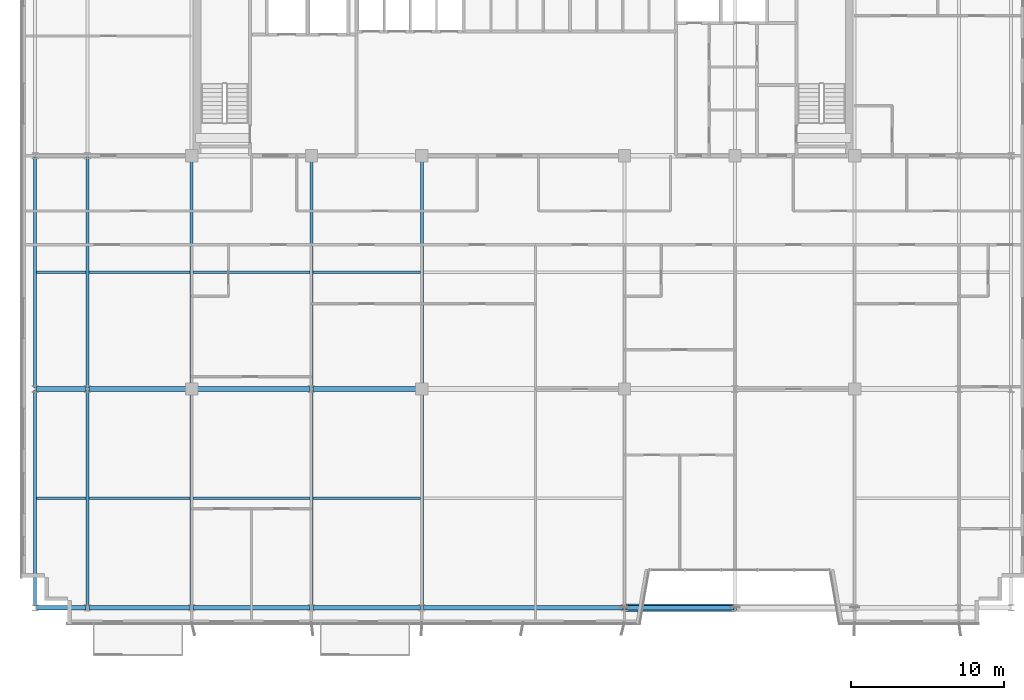
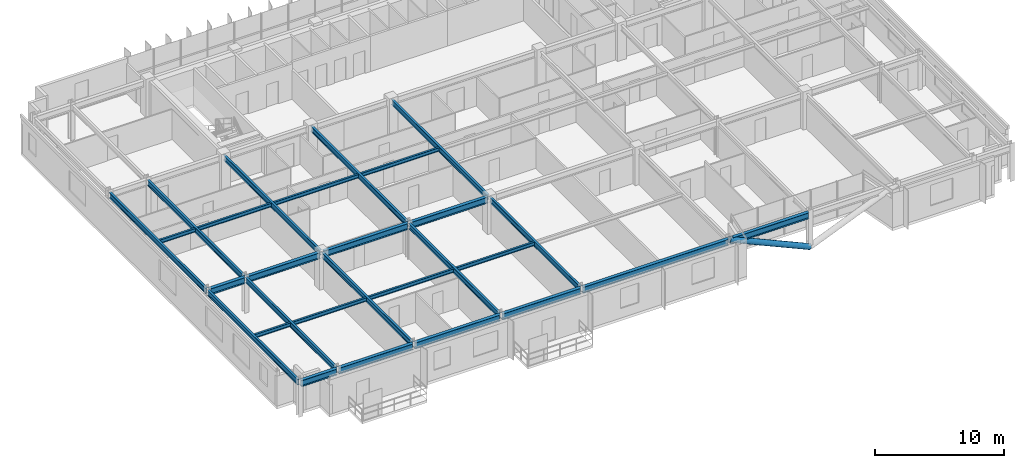
# One storey, part 4 of 26: 28 beams, 1 member.
"""IFC4 building model written with IfcOpenShell, lengths in metres."""

from ifc_helpers import new_model, si_unit, direction, frame, origin, origin_2d, place, context, subcontext, project, spatial, hollow_circle, i_section, extrude, source, transform, mapped, material, material_profile, profile_set, type_object, element, save


model = new_model("IFC4")

# Units and contexts
model_context = context("Model", 3, precision=1e-05, world=origin(), true_north=direction((0.0, 1.0)))
body_context = subcontext(model_context, "Body", "Model", "MODEL_VIEW")
ifc_project = project(units=[si_unit("LENGTHUNIT", "METRE"), si_unit("AREAUNIT", "SQUARE_METRE"), si_unit("VOLUMEUNIT", "CUBIC_METRE"), si_unit("PLANEANGLEUNIT", "RADIAN"), si_unit("MASSUNIT", "GRAM", prefix="KILO")], contexts=[model_context])

# Site, building, storey
site_placement = place(None, origin())
site = spatial("IfcSite", under=ifc_project, at=site_placement, CompositionType="ELEMENT")
building_placement = place(site_placement, origin())
building = spatial("IfcBuilding", under=site, at=building_placement, Name="Trelvane Seafront Commons", CompositionType="ELEMENT")
storey_placement = place(building_placement, frame((0.0, 0.0, 124.89990234375)))
storey = spatial("IfcBuildingStorey", under=building, at=storey_placement, Name="L32", CompositionType="ELEMENT", Elevation=124.89990234375)

# Beams
ifc_material = material(Name="Steel SM355 (S355)", Category="steel")
ifc_material_profile_1 = material_profile(ifc_material, i_section(OverallWidth=0.300048828125, OverallDepth=0.587890625, WebThickness=0.011962890625, FlangeThickness=0.02001953125, at=origin_2d()), Name="H-588x300x12x20")
ifc_profile_set_1 = profile_set([ifc_material_profile_1], Name="Steel SM355 (S355)")
beam_type_1 = type_object("IfcBeamType", Name="STR-BM-H588", PredefinedType="BEAM", material=ifc_profile_set_1)
shared_shape_1 = source(origin(), body_context, "Body", "SweptSolid", [
    extrude(i_section(OverallWidth=0.300048828125, OverallDepth=0.587890625, WebThickness=0.011962890625, FlangeThickness=0.02001953125, at=origin_2d()), origin(), (0.0, 0.0, 1.0), 7.550048828125),
])
beam_1_placement = place(storey_placement, frame((15.75, 18.199951171875, 3.046142578125), z_axis=(1.0, 0.0, 0.0), x_axis=(0.0, 1.0, 0.0)))
element("IfcBeam", 1, at=beam_1_placement, inside=storey, type_object=beam_type_1, Name="L32 Primary Girder G-12", PredefinedType="BEAM", context=body_context, shape_type="MappedRepresentation", body=[
    mapped(shared_shape_1, transform((0.0, 0.0, 0.0), x_axis=(1.0, 0.0, 0.0), y_axis=(0.0, 1.0, 0.0), z_axis=(0.0, 0.0, 1.0), scale=1.0)),
])
shared_shape_2 = source(origin(), body_context, "Body", "SweptSolid", [
    extrude(i_section(OverallWidth=0.300048828125, OverallDepth=0.587890625, WebThickness=0.011962890625, FlangeThickness=0.02001953125, at=origin_2d()), origin(), (0.0, 0.0, 1.0), 3.199951171875),
])
for number, where, z_axis, x_axis, name in (
    (2, (5.5, 3.949951171875, 3.046142578125), (1.0, 0.0, 0.0), (0.0, 1.0, 0.0), "L32 Primary Girder G-01"),
    (3, (5.5, 18.199951171875, 3.046142578125), (1.0, 0.0, 0.0), (0.0, 1.0, 0.0), "L32 Primary Girder G-10"),
):
    element("IfcBeam", number, at=place(storey_placement, frame(where, z_axis=z_axis, x_axis=x_axis)), inside=storey, type_object=beam_type_1, Name=name, PredefinedType="BEAM", context=body_context, shape_type="MappedRepresentation", body=[
        mapped(shared_shape_2, transform((0.0, 0.0, 0.0), x_axis=(1.0, 0.0, 0.0), y_axis=(0.0, 1.0, 0.0), z_axis=(0.0, 0.0, 1.0), scale=1.0)),
    ])
shared_shape_3 = source(origin(), body_context, "Body", "SweptSolid", [
    extrude(i_section(OverallWidth=0.300048828125, OverallDepth=0.587890625, WebThickness=0.011962890625, FlangeThickness=0.02001953125, at=origin_2d()), origin(), (0.0, 0.0, 1.0), 6.60009765625),
])
beam_2_placement = place(storey_placement, frame((8.89990234375, 3.949951171875, 3.046142578125), z_axis=(1.0, 0.0, 0.0), x_axis=(0.0, 1.0, 0.0)))
element("IfcBeam", 4, at=beam_2_placement, inside=storey, type_object=beam_type_1, Name="L32 Primary Girder G-02", PredefinedType="BEAM", context=body_context, shape_type="MappedRepresentation", body=[
    mapped(shared_shape_3, transform((0.0, 0.0, 0.0), x_axis=(1.0, 0.0, 0.0), y_axis=(0.0, 1.0, 0.0), z_axis=(0.0, 0.0, 1.0), scale=1.0)),
])
shared_shape_4 = source(origin(), body_context, "Body", "SweptSolid", [
    extrude(i_section(OverallWidth=0.300048828125, OverallDepth=0.587890625, WebThickness=0.011962890625, FlangeThickness=0.02001953125, at=origin_2d()), origin(), (0.0, 0.0, 1.0), 7.60009765625),
])
beam_3_placement = place(storey_placement, frame((15.699951171875, 3.949951171875, 3.046142578125), z_axis=(1.0, 0.0, 0.0), x_axis=(0.0, 1.0, 0.0)))
element("IfcBeam", 5, at=beam_3_placement, inside=storey, type_object=beam_type_1, Name="L32 Primary Girder G-03", PredefinedType="BEAM", context=body_context, shape_type="MappedRepresentation", body=[
    mapped(shared_shape_4, transform((0.0, 0.0, 0.0), x_axis=(1.0, 0.0, 0.0), y_axis=(0.0, 1.0, 0.0), z_axis=(0.0, 0.0, 1.0), scale=1.0)),
])
shared_shape_5 = source(origin(), body_context, "Body", "SweptSolid", [
    extrude(i_section(OverallWidth=0.300048828125, OverallDepth=0.587890625, WebThickness=0.011962890625, FlangeThickness=0.02001953125, at=origin_2d()), origin(), (0.0, 0.0, 1.0), 7.0),
])
for number, where, z_axis, x_axis, name in (
    (6, (23.5, 3.949951171875, 3.046142578125), (1.0, 0.0, 0.0), (0.0, 1.0, 0.0), "L32 Primary Girder G-04"),
    (7, (43.89990234375, 3.949951171875, 3.046142578125), (1.0, 0.0, 0.0), (0.0, 1.0, 0.0), "L32 Primary Girder G-06"),
):
    element("IfcBeam", number, at=place(storey_placement, frame(where, z_axis=z_axis, x_axis=x_axis)), inside=storey, type_object=beam_type_1, Name=name, PredefinedType="BEAM", context=body_context, shape_type="MappedRepresentation", body=[
        mapped(shared_shape_5, transform((0.0, 0.0, 0.0), x_axis=(1.0, 0.0, 0.0), y_axis=(0.0, 1.0, 0.0), z_axis=(0.0, 0.0, 1.0), scale=1.0)),
    ])
shared_shape_6 = source(origin(), body_context, "Body", "SweptSolid", [
    extrude(i_section(OverallWidth=0.300048828125, OverallDepth=0.587890625, WebThickness=0.011962890625, FlangeThickness=0.02001953125, at=origin_2d()), origin(), (0.0, 0.0, 1.0), 13.0),
])
beam_4_placement = place(storey_placement, frame((30.699951171875, 3.949951171875, 3.046142578125), z_axis=(1.0, 0.0, 0.0), x_axis=(0.0, 1.0, 0.0)))
element("IfcBeam", 8, at=beam_4_placement, inside=storey, type_object=beam_type_1, Name="L32 Primary Girder G-05", PredefinedType="BEAM", context=body_context, shape_type="MappedRepresentation", body=[
    mapped(shared_shape_6, transform((0.0, 0.0, 0.0), x_axis=(1.0, 0.0, 0.0), y_axis=(0.0, 1.0, 0.0), z_axis=(0.0, 0.0, 1.0), scale=1.0)),
])
shared_shape_7 = source(origin(), body_context, "Body", "SweptSolid", [
    extrude(i_section(OverallWidth=0.300048828125, OverallDepth=0.587890625, WebThickness=0.011962890625, FlangeThickness=0.02001953125, at=origin_2d()), origin(), (0.0, 0.0, 1.0), 6.550048828125),
])
beam_5_placement = place(storey_placement, frame((8.89990234375, 18.199951171875, 3.046142578125), z_axis=(1.0, 0.0, 0.0), x_axis=(0.0, 1.0, 0.0)))
element("IfcBeam", 9, at=beam_5_placement, inside=storey, type_object=beam_type_1, Name="L32 Primary Girder G-11", PredefinedType="BEAM", context=body_context, shape_type="MappedRepresentation", body=[
    mapped(shared_shape_7, transform((0.0, 0.0, 0.0), x_axis=(1.0, 0.0, 0.0), y_axis=(0.0, 1.0, 0.0), z_axis=(0.0, 0.0, 1.0), scale=1.0)),
])
shared_shape_8 = source(origin(), body_context, "Body", "SweptSolid", [
    extrude(i_section(OverallWidth=0.300048828125, OverallDepth=0.587890625, WebThickness=0.011962890625, FlangeThickness=0.02001953125, at=origin_2d()), origin(), (0.0, 0.0, 1.0), 6.949951171875),
])
beam_6_placement = place(storey_placement, frame((23.5, 18.199951171875, 3.046142578125), z_axis=(1.0, 0.0, 0.0), x_axis=(0.0, 1.0, 0.0)))
element("IfcBeam", 10, at=beam_6_placement, inside=storey, type_object=beam_type_1, Name="L32 Primary Girder G-13", PredefinedType="BEAM", context=body_context, shape_type="MappedRepresentation", body=[
    mapped(shared_shape_8, transform((0.0, 0.0, 0.0), x_axis=(1.0, 0.0, 0.0), y_axis=(0.0, 1.0, 0.0), z_axis=(0.0, 0.0, 1.0), scale=1.0)),
])
ifc_material_profile_2 = material_profile(ifc_material, i_section(OverallWidth=0.199951171875, OverallDepth=0.5, WebThickness=0.010009765625, FlangeThickness=0.01611328125, at=origin_2d()), Name="H-500x200x10x16")
ifc_profile_set_2 = profile_set([ifc_material_profile_2], Name="Steel SM355 (S355)")
beam_type_2 = type_object("IfcBeamType", Name="STR-BM-H500", PredefinedType="BEAM", material=ifc_profile_set_2)
shared_shape_9 = source(origin(), body_context, "Body", "SweptSolid", [
    extrude(i_section(OverallWidth=0.199951171875, OverallDepth=0.5, WebThickness=0.010009765625, FlangeThickness=0.01611328125, at=origin_2d()), origin(), (0.0, 0.0, 1.0), 14.050048828125),
])
for number, where, z_axis, x_axis, name in (
    (11, (5.39990234375, 4.050048828125, 3.090087890625), (0.0, 1.0, 0.0), (-1.0, 0.0, 0.0), "L32 Primary Girder G-37"),
    (12, (8.800048828125, 4.050048828125, 3.090087890625), (0.0, 1.0, 0.0), (-1.0, 0.0, 0.0), "L32 Primary Girder G-40"),
    (13, (23.39990234375, 4.050048828125, 3.090087890625), (0.0, 1.0, 0.0), (-1.0, 0.0, 0.0), "L32 Primary Girder G-46"),
):
    element("IfcBeam", number, at=place(storey_placement, frame(where, z_axis=z_axis, x_axis=x_axis)), inside=storey, type_object=beam_type_2, Name=name, PredefinedType="BEAM", context=body_context, shape_type="MappedRepresentation", body=[
        mapped(shared_shape_9, transform((0.0, 0.0, 0.0), x_axis=(1.0, 0.0, 0.0), y_axis=(0.0, 1.0, 0.0), z_axis=(0.0, 0.0, 1.0), scale=1.0)),
    ])
shared_shape_10 = source(origin(), body_context, "Body", "SweptSolid", [
    extrude(i_section(OverallWidth=0.199951171875, OverallDepth=0.5, WebThickness=0.010009765625, FlangeThickness=0.01611328125, at=origin_2d()), origin(), (0.0, 0.0, 1.0), 15.0),
])
for number, where, z_axis, x_axis, name in (
    (14, (5.39990234375, 18.300048828125, 3.090087890625), (0.0, 1.0, 0.0), (-1.0, 0.0, 0.0), "L32 Primary Girder G-38"),
    (15, (8.800048828125, 18.300048828125, 3.090087890625), (0.0, 1.0, 0.0), (-1.0, 0.0, 0.0), "L32 Primary Girder G-41"),
):
    element("IfcBeam", number, at=place(storey_placement, frame(where, z_axis=z_axis, x_axis=x_axis)), inside=storey, type_object=beam_type_2, Name=name, PredefinedType="BEAM", context=body_context, shape_type="MappedRepresentation", body=[
        mapped(shared_shape_10, transform((0.0, 0.0, 0.0), x_axis=(1.0, 0.0, 0.0), y_axis=(0.0, 1.0, 0.0), z_axis=(0.0, 0.0, 1.0), scale=1.0)),
    ])
shared_shape_11 = source(origin(), body_context, "Body", "SweptSolid", [
    extrude(i_section(OverallWidth=0.199951171875, OverallDepth=0.5, WebThickness=0.010009765625, FlangeThickness=0.01611328125, at=origin_2d()), origin(), (0.0, 0.0, 1.0), 14.0),
])
for number, where, z_axis, x_axis, name in (
    (16, (15.60009765625, 4.050048828125, 3.090087890625), (0.0, 1.0, 0.0), (-1.0, 0.0, 0.0), "L32 Primary Girder G-43"),
    (17, (30.60009765625, 4.050048828125, 3.090087890625), (0.0, 1.0, 0.0), (-1.0, 0.0, 0.0), "L32 Primary Girder G-49"),
):
    element("IfcBeam", number, at=place(storey_placement, frame(where, z_axis=z_axis, x_axis=x_axis)), inside=storey, type_object=beam_type_2, Name=name, PredefinedType="BEAM", context=body_context, shape_type="MappedRepresentation", body=[
        mapped(shared_shape_11, transform((0.0, 0.0, 0.0), x_axis=(1.0, 0.0, 0.0), y_axis=(0.0, 1.0, 0.0), z_axis=(0.0, 0.0, 1.0), scale=1.0)),
    ])
shared_shape_12 = source(origin(), body_context, "Body", "SweptSolid", [
    extrude(i_section(OverallWidth=0.199951171875, OverallDepth=0.5, WebThickness=0.010009765625, FlangeThickness=0.01611328125, at=origin_2d()), origin(), (0.0, 0.0, 1.0), 14.89990234375),
])
for number, where, z_axis, x_axis, name in (
    (18, (15.60009765625, 18.35009765625, 3.090087890625), (0.0, 1.0, 0.0), (-1.0, 0.0, 0.0), "L32 Primary Girder G-44"),
    (19, (30.60009765625, 18.35009765625, 3.090087890625), (0.0, 1.0, 0.0), (-1.0, 0.0, 0.0), "L32 Primary Girder G-50"),
):
    element("IfcBeam", number, at=place(storey_placement, frame(where, z_axis=z_axis, x_axis=x_axis)), inside=storey, type_object=beam_type_2, Name=name, PredefinedType="BEAM", context=body_context, shape_type="MappedRepresentation", body=[
        mapped(shared_shape_12, transform((0.0, 0.0, 0.0), x_axis=(1.0, 0.0, 0.0), y_axis=(0.0, 1.0, 0.0), z_axis=(0.0, 0.0, 1.0), scale=1.0)),
    ])
shared_shape_13 = source(origin(), body_context, "Body", "SweptSolid", [
    extrude(i_section(OverallWidth=0.199951171875, OverallDepth=0.5, WebThickness=0.010009765625, FlangeThickness=0.01611328125, at=origin_2d()), origin(), (0.0, 0.0, 1.0), 14.949951171875),
])
beam_7_placement = place(storey_placement, frame((23.39990234375, 18.300048828125, 3.090087890625), z_axis=(0.0, 1.0, 0.0), x_axis=(-1.0, 0.0, 0.0)))
element("IfcBeam", 20, at=beam_7_placement, inside=storey, type_object=beam_type_2, Name="L32 Primary Girder G-47", PredefinedType="BEAM", context=body_context, shape_type="MappedRepresentation", body=[
    mapped(shared_shape_13, transform((0.0, 0.0, 0.0), x_axis=(1.0, 0.0, 0.0), y_axis=(0.0, 1.0, 0.0), z_axis=(0.0, 0.0, 1.0), scale=1.0)),
])
ifc_material_profile_3 = material_profile(ifc_material, i_section(OverallWidth=0.175048828125, OverallDepth=0.35009765625, WebThickness=0.007080078125, FlangeThickness=0.010986328125, at=origin_2d()), Name="H-350x175x7x11")
ifc_profile_set_3 = profile_set([ifc_material_profile_3], Name="Steel SM355 (S355)")
beam_type_3 = type_object("IfcBeamType", Name="STR-JST-H350", PredefinedType="JOIST", material=ifc_profile_set_3)
shared_shape_14 = source(origin(), body_context, "Body", "SweptSolid", [
    extrude(i_section(OverallWidth=0.175048828125, OverallDepth=0.35009765625, WebThickness=0.007080078125, FlangeThickness=0.010986328125, at=origin_2d()), origin(), (0.0, 0.0, 1.0), 3.199951171875),
])
for number, where, z_axis, x_axis, name in (
    (21, (5.5, 11.074951171875, 3.1650390625), (1.0, 0.0, 0.0), (0.0, 1.0, 0.0), "L32 Secondary Floor Joist B-67"),
    (22, (5.5, 25.800048828125, 3.1650390625), (1.0, 0.0, 0.0), (0.0, 1.0, 0.0), "L32 Secondary Floor Joist B-74"),
):
    element("IfcBeam", number, at=place(storey_placement, frame(where, z_axis=z_axis, x_axis=x_axis)), inside=storey, type_object=beam_type_3, Name=name, PredefinedType="JOIST", context=body_context, shape_type="MappedRepresentation", body=[
        mapped(shared_shape_14, transform((0.0, 0.0, 0.0), x_axis=(1.0, 0.0, 0.0), y_axis=(0.0, 1.0, 0.0), z_axis=(0.0, 0.0, 1.0), scale=1.0)),
    ])
shared_shape_15 = source(origin(), body_context, "Body", "SweptSolid", [
    extrude(i_section(OverallWidth=0.175048828125, OverallDepth=0.35009765625, WebThickness=0.007080078125, FlangeThickness=0.010986328125, at=origin_2d()), origin(), (0.0, 0.0, 1.0), 6.60009765625),
])
for number, where, z_axis, x_axis, name in (
    (23, (8.89990234375, 11.074951171875, 3.1650390625), (1.0, 0.0, 0.0), (0.0, 1.0, 0.0), "L32 Secondary Floor Joist B-68"),
    (24, (8.89990234375, 25.800048828125, 3.1650390625), (1.0, 0.0, 0.0), (0.0, 1.0, 0.0), "L32 Secondary Floor Joist B-75"),
):
    element("IfcBeam", number, at=place(storey_placement, frame(where, z_axis=z_axis, x_axis=x_axis)), inside=storey, type_object=beam_type_3, Name=name, PredefinedType="JOIST", context=body_context, shape_type="MappedRepresentation", body=[
        mapped(shared_shape_15, transform((0.0, 0.0, 0.0), x_axis=(1.0, 0.0, 0.0), y_axis=(0.0, 1.0, 0.0), z_axis=(0.0, 0.0, 1.0), scale=1.0)),
    ])
shared_shape_16 = source(origin(), body_context, "Body", "SweptSolid", [
    extrude(i_section(OverallWidth=0.175048828125, OverallDepth=0.35009765625, WebThickness=0.007080078125, FlangeThickness=0.010986328125, at=origin_2d()), origin(), (0.0, 0.0, 1.0), 7.60009765625),
])
for number, where, z_axis, x_axis, name in (
    (25, (15.699951171875, 11.074951171875, 3.1650390625), (1.0, 0.0, 0.0), (0.0, 1.0, 0.0), "L32 Secondary Floor Joist B-69"),
    (26, (15.699951171875, 25.800048828125, 3.1650390625), (1.0, 0.0, 0.0), (0.0, 1.0, 0.0), "L32 Secondary Floor Joist B-76"),
):
    element("IfcBeam", number, at=place(storey_placement, frame(where, z_axis=z_axis, x_axis=x_axis)), inside=storey, type_object=beam_type_3, Name=name, PredefinedType="JOIST", context=body_context, shape_type="MappedRepresentation", body=[
        mapped(shared_shape_16, transform((0.0, 0.0, 0.0), x_axis=(1.0, 0.0, 0.0), y_axis=(0.0, 1.0, 0.0), z_axis=(0.0, 0.0, 1.0), scale=1.0)),
    ])
shared_shape_17 = source(origin(), body_context, "Body", "SweptSolid", [
    extrude(i_section(OverallWidth=0.175048828125, OverallDepth=0.35009765625, WebThickness=0.007080078125, FlangeThickness=0.010986328125, at=origin_2d()), origin(), (0.0, 0.0, 1.0), 7.0),
])
for number, where, z_axis, x_axis, name in (
    (27, (23.5, 11.074951171875, 3.1650390625), (1.0, 0.0, 0.0), (0.0, 1.0, 0.0), "L32 Secondary Floor Joist B-70"),
    (28, (23.5, 25.800048828125, 3.1650390625), (1.0, 0.0, 0.0), (0.0, 1.0, 0.0), "L32 Secondary Floor Joist B-77"),
):
    element("IfcBeam", number, at=place(storey_placement, frame(where, z_axis=z_axis, x_axis=x_axis)), inside=storey, type_object=beam_type_3, Name=name, PredefinedType="JOIST", context=body_context, shape_type="MappedRepresentation", body=[
        mapped(shared_shape_17, transform((0.0, 0.0, 0.0), x_axis=(1.0, 0.0, 0.0), y_axis=(0.0, 1.0, 0.0), z_axis=(0.0, 0.0, 1.0), scale=1.0)),
    ])

# Member
ifc_material_profile_4 = material_profile(ifc_material, hollow_circle(Radius=0.25390625, WallThickness=0.02001953125, at=origin_2d()), Name="CHS-508x20")
ifc_profile_set_4 = profile_set([ifc_material_profile_4], Name="Steel SM355 (S355)")
member_type = type_object("IfcMemberType", Name="STR-STR-CHS508", PredefinedType="STRUT", material=ifc_profile_set_4)
shared_shape_18 = source(origin(), body_context, "Body", "SweptSolid", [
    extrude(hollow_circle(Radius=0.25390625, WallThickness=0.02001953125, at=origin_2d()), origin(), (0.0, 0.0, 1.0), 7.88720703125),
])
member_placement = place(storey_placement, frame((51.0, 3.949951171875, 0.0), z_axis=(-0.912856810508, 0.0, 0.408279859299), x_axis=(0.0, -1.0, 0.0)))
element("IfcMember", 29, at=member_placement, inside=storey, type_object=member_type, Name="L32 Sky-Garden V-Chevron Brace SGV-W", PredefinedType="STRUT", context=body_context, shape_type="MappedRepresentation", body=[
    mapped(shared_shape_18, transform((0.0, 0.0, 0.0), x_axis=(1.0, 0.0, 0.0), y_axis=(0.0, 1.0, 0.0), z_axis=(0.0, 0.0, 1.0), scale=1.0)),
])

save(model, "model.ifc")
